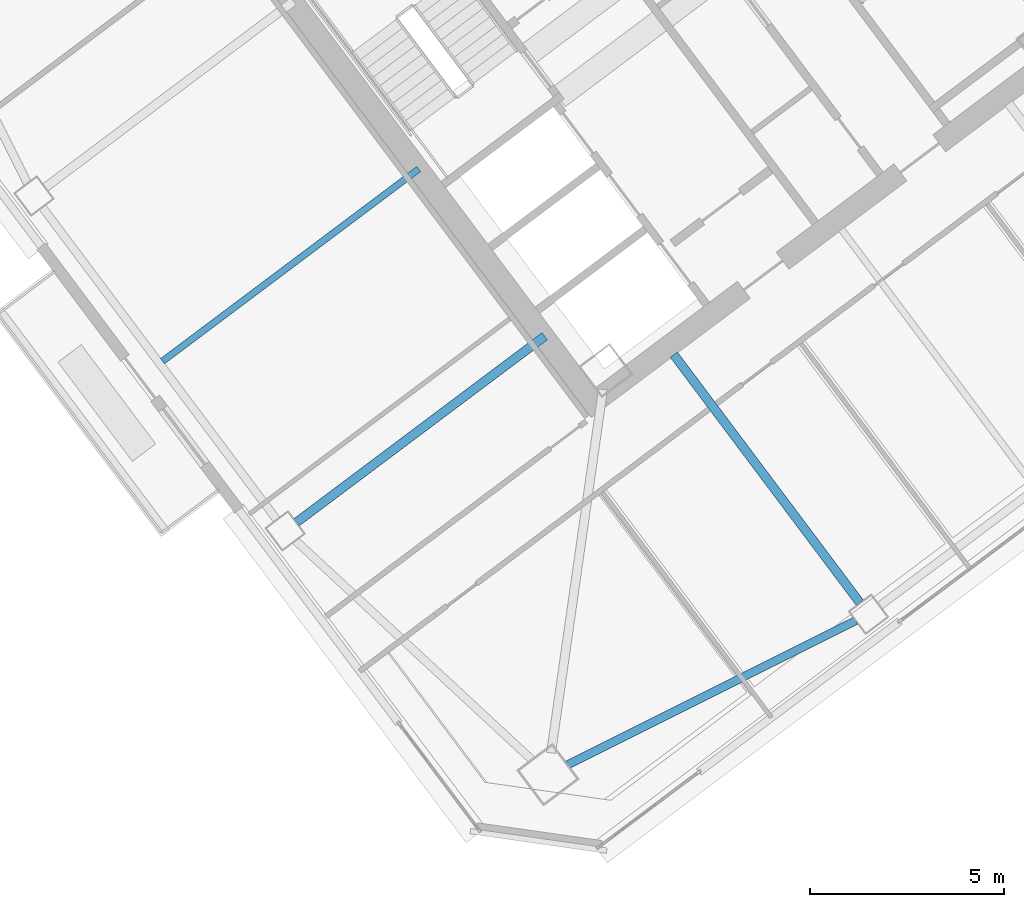
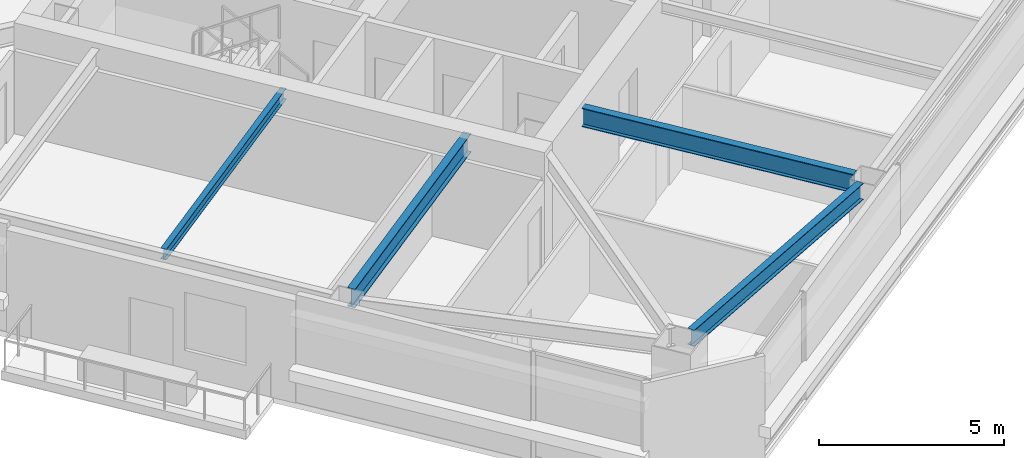
# One storey, part 17 of 41: 4 beams.
"""IFC4 building model written with IfcOpenShell, lengths in metres."""

from ifc_helpers import new_model, si_unit, direction, frame, origin, origin_2d, place, context, subcontext, project, spatial, i_section, extrude, material, material_profile, profile_set, type_object, element, save


model = new_model("IFC4")

# Units and contexts
model_context = context("Model", 3, precision=1e-05, world=origin(), true_north=direction((0.0, 1.0)))
body_context = subcontext(model_context, "Body", "Model", "MODEL_VIEW")
ifc_project = project(units=[si_unit("LENGTHUNIT", "METRE"), si_unit("AREAUNIT", "SQUARE_METRE"), si_unit("VOLUMEUNIT", "CUBIC_METRE"), si_unit("PLANEANGLEUNIT", "RADIAN"), si_unit("MASSUNIT", "GRAM", prefix="KILO")], contexts=[model_context])

# Site, building, storey
site_placement = place(None, origin())
site = spatial("IfcSite", under=ifc_project, at=site_placement, CompositionType="ELEMENT")
building_placement = place(site_placement, origin())
building = spatial("IfcBuilding", under=site, at=building_placement, Name="Tashvorn Skyway Center", CompositionType="ELEMENT")
storey_placement = place(building_placement, frame((0.0, 0.0, 174.75)))
storey = spatial("IfcBuildingStorey", under=building, at=storey_placement, Name="L47", CompositionType="ELEMENT", Elevation=174.75)

# Beams
ifc_material = material(Name="Steel ASTM A992 Grade 50", Category="steel")
ifc_material_profile_1 = material_profile(ifc_material, i_section(OverallWidth=0.22998046875, OverallDepth=0.616943359375, WebThickness=0.01318359375, FlangeThickness=0.022216796875, at=origin_2d()), Name="W24X94")
ifc_profile_set_1 = profile_set([ifc_material_profile_1], Name="Steel ASTM A992 Grade 50")
beam_type_1 = type_object("IfcBeamType", Name="BM-BEAM-W24X94", PredefinedType="BEAM", material=ifc_profile_set_1)
beam_1_placement = place(storey_placement, frame((119.14794921875, 16.135986328125, 3.0615234375), z_axis=(-0.60000976564, 0.799992675677, 0.0), x_axis=(-0.799992675677, -0.60000976564, 0.0)))
element("IfcBeam", 1, at=beam_1_placement, inside=storey, type_object=beam_type_1, Name="Tower 2 L47 Primary Floor Girder FC-S1", PredefinedType="BEAM", context=body_context, shape_type="SweptSolid", body=[
    extrude(i_section(OverallWidth=0.22998046875, OverallDepth=0.616943359375, WebThickness=0.01318359375, FlangeThickness=0.022216796875, at=origin_2d()), origin(), (0.0, 0.0, 1.0), 8.0),
])
beam_2_placement = place(storey_placement, frame((104.615966796875, 18.2119140625, 3.0615234375), z_axis=(0.800003662027, 0.599995117266, 0.0), x_axis=(-0.599995117266, 0.800003662027, 0.0)))
element("IfcBeam", 2, at=beam_2_placement, inside=storey, type_object=beam_type_1, Name="Tower 2 L47 Primary Floor Girder FC-W2", PredefinedType="BEAM", context=body_context, shape_type="SweptSolid", body=[
    extrude(i_section(OverallWidth=0.22998046875, OverallDepth=0.616943359375, WebThickness=0.01318359375, FlangeThickness=0.022216796875, at=origin_2d()), origin(), (0.0, 0.0, 1.0), 8.000244140625),
])
ifc_material_profile_2 = material_profile(ifc_material, i_section(OverallWidth=0.1708984375, OverallDepth=0.35498046875, WebThickness=0.007080078125, FlangeThickness=0.01171875, at=origin_2d()), Name="W14X34")
ifc_profile_set_2 = profile_set([ifc_material_profile_2], Name="Steel ASTM A992 Grade 50")
beam_type_2 = type_object("IfcBeamType", Name="BM-JOIST-W14X34", PredefinedType="JOIST", material=ifc_profile_set_2)
beam_3_placement = place(storey_placement, frame((107.76806640625, 27.325927734375, 3.1923828125), z_axis=(-0.800003545708, -0.59999527236, 0.0), x_axis=(0.59999527236, -0.800003545708, 0.0)))
element("IfcBeam", 3, at=beam_3_placement, inside=storey, type_object=beam_type_2, Name="Tower 2 L47 Secondary Composite Joist JW", PredefinedType="JOIST", context=body_context, shape_type="SweptSolid", body=[
    extrude(i_section(OverallWidth=0.1708984375, OverallDepth=0.35498046875, WebThickness=0.007080078125, FlangeThickness=0.01171875, at=origin_2d()), origin(), (0.0, 0.0, 1.0), 8.2626953125),
])
ifc_material_profile_3 = material_profile(ifc_material, i_section(OverallWidth=0.2109375, OverallDepth=0.5390625, WebThickness=0.01171875, FlangeThickness=0.018798828125, at=origin_2d()), Name="W21X73")
ifc_profile_set_3 = profile_set([ifc_material_profile_3], Name="Steel ASTM A992 Grade 50")
beam_type_3 = type_object("IfcBeamType", Name="BM-SPANDREL-W21X73", PredefinedType="SPANDREL", material=ifc_profile_set_3)
beam_4_placement = place(storey_placement, frame((111.609619140625, 11.955078125, 3.1005859375), z_axis=(0.894209637559, 0.447648438059, 0.0), x_axis=(-0.447648438059, 0.894209637559, 0.0)))
element("IfcBeam", 4, at=beam_4_placement, inside=storey, type_object=beam_type_3, Name="Tower 2 L47 Spandrel Beam 01", PredefinedType="SPANDREL", context=body_context, shape_type="SweptSolid", body=[
    extrude(i_section(OverallWidth=0.2109375, OverallDepth=0.5390625, WebThickness=0.01171875, FlangeThickness=0.018798828125, at=origin_2d()), origin(), (0.0, 0.0, 1.0), 8.308349609375),
])

save(model, "model.ifc")
